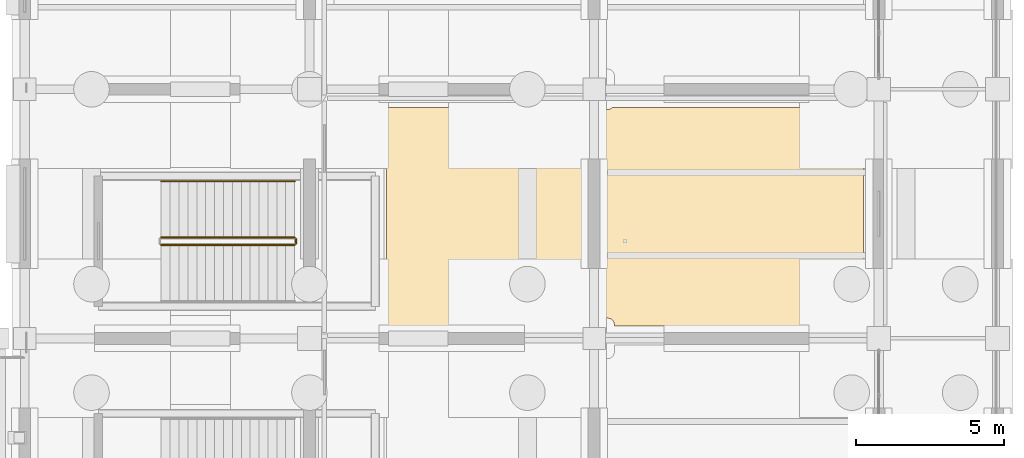
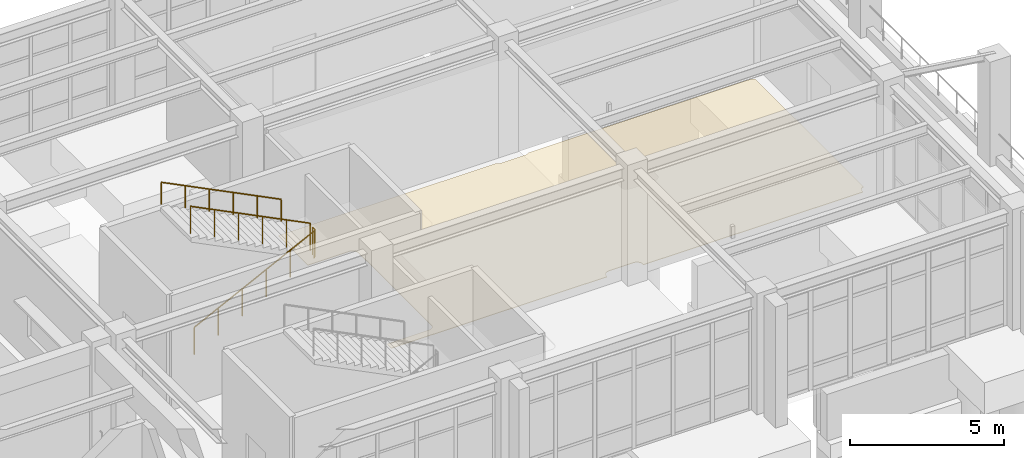
# One storey, part 106 of 111: 4 railings, 1 covering.
"""IFC4 building model written with IfcOpenShell, lengths in metres."""

import ifcopenshell
import ifcopenshell.guid

model = None  # the IFC model being written
_history = None  # IfcOwnerHistory: only IFC2X3 demands one
_inside = {}  # id of a spatial element -> (the spatial element, [elements in it])
_under = {}  # id of a project, library or spatial element -> (it, [spatial elements below it])
_declared = {}  # id of a project -> (the project, [libraries it declares])
_typed = {}  # id of a type object -> (the type object, [elements of that type])
_made_of = {}  # id of a material, layer set ... -> (it, [elements and type objects made of it])


def new_model(schema):
    """Start an empty IFC model of exactly this schema.

    Asked for "IFC4X3", IfcOpenShell would pick the latest addendum, in which some entities
    have other attributes; the version numbers below select the first issue.
    IFC2X3 requires an IfcOwnerHistory on every rooted entity: one is made here for all.
    """
    global model, _history
    if schema == "IFC4X3":
        model = ifcopenshell.file(schema_version=(4, 3, 0, 0))
    else:
        model = ifcopenshell.file(schema=schema)
    _inside.clear()
    _under.clear()
    _declared.clear()
    _typed.clear()
    _made_of.clear()
    _history = None
    if model.schema == "IFC2X3":
        org = make("IfcOrganization", Name="unknown")
        user = make(
            "IfcPersonAndOrganization",
            ThePerson=make("IfcPerson", FamilyName="unknown"),
            TheOrganization=org,
        )
        app = make(
            "IfcApplication",
            ApplicationDeveloper=org,
            Version="unknown",
            ApplicationFullName="unknown",
            ApplicationIdentifier="unknown",
        )
        _history = make(
            "IfcOwnerHistory",
            OwningUser=user,
            OwningApplication=app,
            ChangeAction="ADDED",
            CreationDate=0,
        )
    return model


def make(cls, **values):
    """One entity of the class cls with the attributes given. An attribute that is None is left unset."""
    return model.create_entity(
        cls, **{name: value for name, value in values.items() if value is not None}
    )


def rooted(cls, **values):
    """An entity with a GlobalId (a new one), such as an element, a storey or a relation."""
    return make(cls, GlobalId=ifcopenshell.guid.new(), OwnerHistory=_history, **values)


def si_unit(unit_type, name, prefix=None):
    """IfcSIUnit, for example si_unit("LENGTHUNIT", "METRE", prefix="MILLI")."""
    return make("IfcSIUnit", UnitType=unit_type, Prefix=prefix, Name=name)


def assignment(units):
    """IfcUnitAssignment: the units of a project."""
    return None if units is None else make("IfcUnitAssignment", Units=units)


def point(xyz):
    """IfcCartesianPoint."""
    return None if xyz is None else make("IfcCartesianPoint", Coordinates=xyz)


def direction(xyz):
    """IfcDirection."""
    return None if xyz is None else make("IfcDirection", DirectionRatios=xyz)


def frame(location, z_axis=None, x_axis=None):
    """IfcAxis2Placement3D, a coordinate frame: its origin and axes. An axis left out is left unset."""
    return make(
        "IfcAxis2Placement3D",
        Location=point(location),
        Axis=direction(z_axis),
        RefDirection=direction(x_axis),
    )


def frame_2d(location, x_axis=None):
    """IfcAxis2Placement2D, a coordinate frame in the plane: its origin and x axis."""
    return make(
        "IfcAxis2Placement2D", Location=point(location), RefDirection=direction(x_axis)
    )


def origin():
    """The frame at (0, 0, 0) with its axes left unset."""
    return frame((0.0, 0.0, 0.0))


def origin_2d():
    """The frame at (0, 0) in the plane with its x axis left unset."""
    return frame_2d((0.0, 0.0))


def place(relative_to, where):
    """IfcLocalPlacement: puts the frame where relative to a parent placement (None: the world)."""
    return make(
        "IfcLocalPlacement", PlacementRelTo=relative_to, RelativePlacement=where
    )


def context(
    kind, dimensions, precision=None, world=None, true_north=None, identifier=None
):
    """IfcGeometricRepresentationContext, for example the 3D "Model" context."""
    return make(
        "IfcGeometricRepresentationContext",
        ContextIdentifier=identifier,
        ContextType=kind,
        CoordinateSpaceDimension=dimensions,
        Precision=precision,
        WorldCoordinateSystem=world,
        TrueNorth=true_north,
    )


def subcontext(parent, identifier, kind, view, scale=None):
    """IfcGeometricRepresentationSubContext, for example "Body" below "Model"."""
    return make(
        "IfcGeometricRepresentationSubContext",
        ContextIdentifier=identifier,
        ContextType=kind,
        ParentContext=parent,
        TargetScale=scale,
        TargetView=view,
    )


def project(units=None, contexts=None):
    """IfcProject with its units and contexts."""
    return rooted(
        "IfcProject",
        Name="project",
        RepresentationContexts=contexts,
        UnitsInContext=assignment(units),
    )


def spatial(cls, under=None, at=None, **own):
    """A site, building, storey or space (cls), placed at a placement, below another one or the project."""
    s = rooted(cls, ObjectPlacement=at, **own)
    if under is not None:
        _under.setdefault(under.id(), (under, []))[1].append(s)
    return s


def polyline(points):
    """IfcPolyline through the points."""
    return make("IfcPolyline", Points=[point(p) for p in points])


def profile(cls, at=None, kind="AREA", **sizes):
    """A parametric profile (cls). Its sizes go by their IFC names, for example OverallWidth=200.0."""
    return make(cls, ProfileType=kind, Position=at, **sizes)


def circle(**sizes):
    """IfcCircleProfileDef."""
    return profile("IfcCircleProfileDef", **sizes)


def outline(outer, holes=None, kind="AREA"):
    """IfcArbitraryClosedProfileDef: a profile drawn as a closed curve; with holes, ...WithVoids."""
    if holes is None:
        return make("IfcArbitraryClosedProfileDef", ProfileType=kind, OuterCurve=outer)
    return make(
        "IfcArbitraryProfileDefWithVoids",
        ProfileType=kind,
        OuterCurve=outer,
        InnerCurves=holes,
    )


def extrude(swept, where, along, depth):
    """IfcExtrudedAreaSolid: the profile swept, set in the frame where, extruded along a direction by depth."""
    return make(
        "IfcExtrudedAreaSolid",
        SweptArea=swept,
        Position=where,
        ExtrudedDirection=direction(along),
        Depth=depth,
    )


def shape(context_of_items, identifier, shape_type, items):
    """IfcShapeRepresentation: the items that make up one representation, for example the "Body"."""
    return make(
        "IfcShapeRepresentation",
        ContextOfItems=context_of_items,
        RepresentationIdentifier=identifier,
        RepresentationType=shape_type,
        Items=items,
    )


def material(Name=None, Category=None):
    """IfcMaterial."""
    return make("IfcMaterial", Name=Name, Category=Category)


def layer(
    of_material, thickness, ventilated=None, Name=None, Category=None, Priority=None
):
    """IfcMaterialLayer: one layer of a wall or slab, of a material (None: an air gap)."""
    return make(
        "IfcMaterialLayer",
        Material=of_material,
        LayerThickness=thickness,
        IsVentilated=ventilated,
        Name=Name,
        Category=Category,
        Priority=Priority,
    )


def layer_set(layers, Name=None):
    """IfcMaterialLayerSet."""
    return make("IfcMaterialLayerSet", MaterialLayers=layers, LayerSetName=Name)


def made_of(thing, what):
    """Note that an element or type object is made of a material, layer set ...; save() writes the relation."""
    if what is not None:
        _made_of.setdefault(what.id(), (what, []))[1].append(thing)
    return thing


def type_object(cls, material=None, **own):
    """A type object (cls), such as IfcWallType, which elements share."""
    return made_of(rooted(cls, **own), material)


def element(
    cls,
    number,
    at=None,
    inside=None,
    cuts=None,
    type_object=None,
    material=None,
    context=None,
    identifier="Body",
    shape_type=None,
    held_by="IfcProductDefinitionShape",
    body=None,
    shapes=None,
    **own,
):
    """One element of the class cls, such as IfcWall. Its Tag is "e" and its number.

    at: its placement. inside: the storey or other place that contains it. cuts: it is an
    opening in that element (IfcRelVoidsElement). A single representation is given by context,
    identifier, shape_type and body (its items); several are given by shapes. held_by: the class
    of the entity that holds the representations. save() writes the other relations.
    """
    e = rooted(cls, Tag="e%d" % number, ObjectPlacement=at, **own)
    if body is not None:
        shapes = [shape(context, identifier, shape_type, body)]
    if shapes is not None:
        e.Representation = make(held_by, Representations=shapes)
    if inside is not None:
        _inside.setdefault(inside.id(), (inside, []))[1].append(e)
    if cuts is not None:
        rooted(
            "IfcRelVoidsElement", RelatingBuildingElement=cuts, RelatedOpeningElement=e
        )
    if type_object is not None:
        _typed.setdefault(type_object.id(), (type_object, []))[1].append(e)
    return made_of(e, material)


def aggregate(whole, parts):
    """IfcRelAggregates: a whole, such as a stair, and the parts it consists of."""
    return rooted("IfcRelAggregates", RelatingObject=whole, RelatedObjects=parts)


def save(model, path):
    """Write the relations noted so far, then the file.

    IfcRelAggregates (storeys below a building ...), IfcRelContainedInSpatialStructure (elements
    in a storey), IfcRelDefinesByType, IfcRelAssociatesMaterial and IfcRelDeclares: one each for
    every whole, place, type object, material and project.
    """
    for whole, parts in _under.values():
        aggregate(whole, parts)
    for where, things in _inside.values():
        rooted(
            "IfcRelContainedInSpatialStructure",
            RelatedElements=things,
            RelatingStructure=where,
        )
    for kind, things in _typed.values():
        rooted("IfcRelDefinesByType", RelatedObjects=things, RelatingType=kind)
    for what, things in _made_of.values():
        rooted("IfcRelAssociatesMaterial", RelatedObjects=things, RelatingMaterial=what)
    for by, libraries in _declared.values():
        rooted("IfcRelDeclares", RelatingContext=by, RelatedDefinitions=libraries)
    model.write(path)


model = new_model("IFC4")

# Units and contexts
model_context = context("Model", 3, precision=1e-05, world=origin(), true_north=direction((0.0, 1.0)))
body_context = subcontext(model_context, "Body", "Model", "MODEL_VIEW")
ifc_project = project(units=[si_unit("LENGTHUNIT", "METRE"), si_unit("AREAUNIT", "SQUARE_METRE"), si_unit("VOLUMEUNIT", "CUBIC_METRE"), si_unit("PLANEANGLEUNIT", "RADIAN"), si_unit("MASSUNIT", "GRAM", prefix="KILO")], contexts=[model_context])

# Site, building, storey
site_placement = place(None, origin())
site = spatial("IfcSite", under=ifc_project, at=site_placement, CompositionType="ELEMENT")
building_placement = place(site_placement, origin())
building = spatial("IfcBuilding", under=site, at=building_placement, Name="Canglan Escarpment Cableway Terminal", CompositionType="ELEMENT")
storey_placement = place(building_placement, frame((0.0, 0.0, 4.800048828125)))
storey = spatial("IfcBuildingStorey", under=building, at=storey_placement, Name="L01", CompositionType="ELEMENT", Elevation=4.800048828125)

# Covering
ifc_material_1 = material(Name="Polished mineral terrazzo flooring", Category="concrete")
ifc_layer = layer(ifc_material_1, 0.02001953125, Name="Polished mineral terrazzo flooring")
ifc_layer_set = layer_set([ifc_layer], Name="Polished mineral terrazzo flooring")
covering_type = type_object("IfcCoveringType", Name="COV-FLR-TERRAZZO-20", PredefinedType="FLOORING", material=ifc_layer_set)
covering_placement = place(storey_placement, origin())
element("IfcCovering", 1, at=covering_placement, inside=storey, type_object=covering_type, Name="VIP Reception Lounge stone floor finish", PredefinedType="FLOORING", context=body_context, shape_type="SweptSolid", body=[
    extrude(outline(polyline([(165.781494140625, 24.179931640625), (165.783447265625, 24.179931640625), (165.785400390625, 24.1796875), (165.787109375, 24.17919921875), (165.788818359375, 24.1787109375), (165.79052734375, 24.177978515625), (165.7919921875, 24.177001953125), (165.793701171875, 24.176025390625), (165.794921875, 24.1748046875), (165.800048828125, 24.17041015625), (165.80078125, 24.169677734375), (165.8173828125, 24.157470703125), (165.818115234375, 24.15673828125), (165.8359375, 24.146240234375), (165.836669921875, 24.145751953125), (165.85546875, 24.136962890625), (165.856201171875, 24.13671875), (165.875732421875, 24.129638671875), (165.876708984375, 24.12939453125), (165.896484375, 24.124267578125), (165.897705078125, 24.124267578125), (165.91796875, 24.12109375), (165.9189453125, 24.12109375), (165.939697265625, 24.1201171875), (165.940185546875, 24.1201171875), (166.85986328125, 24.1201171875), (166.860107421875, 24.1201171875), (166.881103515625, 24.12109375), (166.882080078125, 24.12109375), (166.90234375, 24.124267578125), (166.9033203125, 24.124267578125), (166.92333984375, 24.12939453125), (166.92431640625, 24.129638671875), (166.943603515625, 24.13671875), (166.944580078125, 24.136962890625), (166.96337890625, 24.145751953125), (166.964111328125, 24.146240234375), (166.981689453125, 24.15673828125), (166.982666015625, 24.157470703125), (166.999267578125, 24.169677734375), (167.0, 24.17041015625), (167.0048828125, 24.1748046875), (167.00634765625, 24.176025390625), (167.0078125, 24.177001953125), (167.009521484375, 24.177978515625), (167.01123046875, 24.1787109375), (167.012939453125, 24.17919921875), (167.0146484375, 24.1796875), (167.0166015625, 24.179931640625), (167.018310546875, 24.179931640625), (175.381591796875, 24.179931640625), (175.383544921875, 24.179931640625), (175.38525390625, 24.1796875), (175.38720703125, 24.17919921875), (175.388916015625, 24.1787109375), (175.390380859375, 24.177978515625), (175.39208984375, 24.177001953125), (175.3935546875, 24.176025390625), (175.39501953125, 24.1748046875), (175.400146484375, 24.17041015625), (175.40087890625, 24.169677734375), (175.41748046875, 24.157470703125), (175.418212890625, 24.15673828125), (175.435791015625, 24.146240234375), (175.436767578125, 24.145751953125), (175.455322265625, 24.136962890625), (175.456298828125, 24.13671875), (175.466796875, 24.1328125), (175.468505859375, 24.132080078125), (175.47021484375, 24.131103515625), (175.4716796875, 24.130126953125), (175.47314453125, 24.12890625), (175.474609375, 24.127685546875), (175.475830078125, 24.126220703125), (175.476806640625, 24.124755859375), (175.477783203125, 24.123046875), (175.478515625, 24.121337890625), (175.479248046875, 24.11962890625), (175.4794921875, 24.117919921875), (175.47998046875, 24.115966796875), (175.47998046875, 24.114013671875), (175.47998046875, 17.0859375), (175.47998046875, 17.083984375), (175.4794921875, 17.082275390625), (175.479248046875, 17.080322265625), (175.478515625, 17.07861328125), (175.477783203125, 17.076904296875), (175.476806640625, 17.0751953125), (175.475830078125, 17.07373046875), (175.474609375, 17.072265625), (175.47314453125, 17.071044921875), (175.4716796875, 17.06982421875), (175.47021484375, 17.06884765625), (175.468505859375, 17.06787109375), (175.466796875, 17.067138671875), (175.456298828125, 17.0634765625), (175.455322265625, 17.06298828125), (175.436767578125, 17.05419921875), (175.435791015625, 17.0537109375), (175.418212890625, 17.043212890625), (175.41748046875, 17.04248046875), (175.40087890625, 17.030517578125), (175.400146484375, 17.02978515625), (175.384765625, 17.015869140625), (175.384033203125, 17.01513671875), (175.370361328125, 17.0), (175.36962890625, 16.999267578125), (175.357421875, 16.982666015625), (175.356689453125, 16.981689453125), (175.34619140625, 16.964111328125), (175.345703125, 16.96337890625), (175.3369140625, 16.944580078125), (175.336669921875, 16.943603515625), (175.32958984375, 16.92431640625), (175.329345703125, 16.92333984375), (175.32421875, 16.9033203125), (175.32421875, 16.90234375), (175.321044921875, 16.882080078125), (175.321044921875, 16.881103515625), (175.320068359375, 16.860107421875), (175.320068359375, 16.85986328125), (175.320068359375, 16.840087890625), (175.31982421875, 16.837890625), (175.319580078125, 16.836181640625), (175.319091796875, 16.834228515625), (175.318603515625, 16.832275390625), (175.317626953125, 16.83056640625), (175.316650390625, 16.828857421875), (175.3154296875, 16.827392578125), (175.314208984375, 16.825927734375), (175.312744140625, 16.824462890625), (175.31103515625, 16.823486328125), (175.309326171875, 16.822509765625), (175.3076171875, 16.821533203125), (175.305908203125, 16.82080078125), (175.303955078125, 16.8203125), (175.302001953125, 16.820068359375), (175.300048828125, 16.820068359375), (167.10009765625, 16.820068359375), (167.097900390625, 16.820068359375), (167.09619140625, 16.8203125), (167.09423828125, 16.82080078125), (167.09228515625, 16.821533203125), (167.090576171875, 16.822509765625), (167.0888671875, 16.823486328125), (167.08740234375, 16.824462890625), (167.0859375, 16.825927734375), (167.08447265625, 16.827392578125), (167.08349609375, 16.828857421875), (167.08251953125, 16.83056640625), (167.08154296875, 16.832275390625), (167.080810546875, 16.834228515625), (167.080322265625, 16.836181640625), (167.080078125, 16.837890625), (167.080078125, 16.840087890625), (167.080078125, 16.85986328125), (167.080078125, 16.860107421875), (167.0791015625, 16.881103515625), (167.078857421875, 16.882080078125), (167.07568359375, 16.90234375), (167.07568359375, 16.9033203125), (167.070556640625, 16.92333984375), (167.0703125, 16.92431640625), (167.0634765625, 16.943603515625), (167.06298828125, 16.944580078125), (167.05419921875, 16.96337890625), (167.0537109375, 16.964111328125), (167.043212890625, 16.981689453125), (167.04248046875, 16.982666015625), (167.030517578125, 16.999267578125), (167.02978515625, 17.0), (167.015869140625, 17.01513671875), (167.01513671875, 17.015869140625), (167.0, 17.02978515625), (166.999267578125, 17.030517578125), (166.982666015625, 17.04248046875), (166.981689453125, 17.043212890625), (166.964111328125, 17.0537109375), (166.96337890625, 17.05419921875), (166.944580078125, 17.06298828125), (166.943603515625, 17.0634765625), (166.92431640625, 17.0703125), (166.92333984375, 17.070556640625), (166.9033203125, 17.07568359375), (166.90234375, 17.07568359375), (166.882080078125, 17.078857421875), (166.881103515625, 17.0791015625), (166.860107421875, 17.080078125), (166.85986328125, 17.080078125), (165.940185546875, 17.080078125), (165.939697265625, 17.080078125), (165.9189453125, 17.0791015625), (165.91796875, 17.078857421875), (165.897705078125, 17.07568359375), (165.896484375, 17.07568359375), (165.876708984375, 17.070556640625), (165.875732421875, 17.0703125), (165.856201171875, 17.0634765625), (165.85546875, 17.06298828125), (165.836669921875, 17.05419921875), (165.8359375, 17.0537109375), (165.818115234375, 17.043212890625), (165.8173828125, 17.04248046875), (165.80078125, 17.030517578125), (165.800048828125, 17.02978515625), (165.784912109375, 17.015869140625), (165.7841796875, 17.01513671875), (165.770263671875, 17.0), (165.76953125, 16.999267578125), (165.75732421875, 16.982666015625), (165.7568359375, 16.981689453125), (165.74609375, 16.964111328125), (165.745849609375, 16.96337890625), (165.737060546875, 16.944580078125), (165.736572265625, 16.943603515625), (165.7294921875, 16.92431640625), (165.7294921875, 16.92333984375), (165.724365234375, 16.9033203125), (165.72412109375, 16.90234375), (165.72119140625, 16.882080078125), (165.720947265625, 16.881103515625), (165.719970703125, 16.860107421875), (165.719970703125, 16.85986328125), (165.719970703125, 16.840087890625), (165.719970703125, 16.837890625), (165.719482421875, 16.836181640625), (165.718994140625, 16.834228515625), (165.718505859375, 16.832275390625), (165.717529296875, 16.83056640625), (165.716552734375, 16.828857421875), (165.715576171875, 16.827392578125), (165.714111328125, 16.825927734375), (165.712646484375, 16.824462890625), (165.711181640625, 16.823486328125), (165.70947265625, 16.822509765625), (165.707763671875, 16.821533203125), (165.705810546875, 16.82080078125), (165.703857421875, 16.8203125), (165.701904296875, 16.820068359375), (165.699951171875, 16.820068359375), (157.639892578125, 16.820068359375), (157.637939453125, 16.820068359375), (157.635986328125, 16.8203125), (157.63427734375, 16.82080078125), (157.63232421875, 16.821533203125), (157.630615234375, 16.822509765625), (157.62890625, 16.823486328125), (157.627197265625, 16.824462890625), (157.6259765625, 16.825927734375), (157.62451171875, 16.827392578125), (157.623291015625, 16.828857421875), (157.622314453125, 16.83056640625), (157.62158203125, 16.832275390625), (157.620849609375, 16.834228515625), (157.620361328125, 16.836181640625), (157.6201171875, 16.837890625), (157.6201171875, 16.840087890625), (157.6201171875, 17.080078125), (157.6201171875, 17.08203125), (157.620361328125, 17.083984375), (157.620849609375, 17.085693359375), (157.62158203125, 17.087646484375), (157.622314453125, 17.08935546875), (157.623291015625, 17.091064453125), (157.62451171875, 17.0927734375), (157.6259765625, 17.093994140625), (157.627197265625, 17.095458984375), (157.62890625, 17.0966796875), (157.630615234375, 17.09765625), (157.63232421875, 17.098388671875), (157.63427734375, 17.09912109375), (157.635986328125, 17.099609375), (157.637939453125, 17.099853515625), (157.639892578125, 17.10009765625), (159.1796875, 17.10009765625), (159.18017578125, 17.10009765625), (159.201171875, 17.10107421875), (159.201904296875, 17.10107421875), (159.222412109375, 17.104248046875), (159.223388671875, 17.104248046875), (159.243408203125, 17.109375), (159.244384765625, 17.109619140625), (159.263671875, 17.11669921875), (159.2646484375, 17.116943359375), (159.283203125, 17.125732421875), (159.2841796875, 17.126220703125), (159.3017578125, 17.13671875), (159.302490234375, 17.137451171875), (159.319091796875, 17.149658203125), (159.31982421875, 17.150390625), (159.335205078125, 17.1640625), (159.3359375, 17.164794921875), (159.349609375, 17.18017578125), (159.350341796875, 17.180908203125), (159.362548828125, 17.197509765625), (159.36328125, 17.1982421875), (159.373779296875, 17.2158203125), (159.374267578125, 17.216796875), (159.383056640625, 17.2353515625), (159.38330078125, 17.236328125), (159.390380859375, 17.255615234375), (159.390625, 17.256591796875), (159.395751953125, 17.276611328125), (159.395751953125, 17.277587890625), (159.39892578125, 17.298095703125), (159.39892578125, 17.298828125), (159.39990234375, 17.31982421875), (159.39990234375, 17.3203125), (159.39990234375, 22.02978515625), (159.39990234375, 22.0302734375), (159.39892578125, 22.051025390625), (159.39892578125, 22.052001953125), (159.395751953125, 22.072509765625), (159.395751953125, 22.073486328125), (159.390625, 22.093505859375), (159.390380859375, 22.09423828125), (159.38330078125, 22.11376953125), (159.383056640625, 22.114501953125), (159.374267578125, 22.13330078125), (159.373779296875, 22.134033203125), (159.36328125, 22.15185546875), (159.362548828125, 22.152587890625), (159.350341796875, 22.169189453125), (159.349609375, 22.169921875), (159.3359375, 22.185302734375), (159.335205078125, 22.185791015625), (159.31982421875, 22.19970703125), (159.319091796875, 22.200439453125), (159.302490234375, 22.212646484375), (159.3017578125, 22.213134765625), (159.2841796875, 22.223876953125), (159.283203125, 22.22412109375), (159.2646484375, 22.23291015625), (159.263671875, 22.2333984375), (159.244384765625, 22.240478515625), (159.243408203125, 22.240478515625), (159.223388671875, 22.24560546875), (159.222412109375, 22.245849609375), (159.201904296875, 22.248779296875), (159.201171875, 22.2490234375), (159.18017578125, 22.25), (159.1796875, 22.25), (157.639892578125, 22.25), (157.637939453125, 22.25), (157.635986328125, 22.25048828125), (157.63427734375, 22.2509765625), (157.63232421875, 22.25146484375), (157.630615234375, 22.25244140625), (157.62890625, 22.25341796875), (157.627197265625, 22.25439453125), (157.6259765625, 22.255859375), (157.62451171875, 22.25732421875), (157.623291015625, 22.2587890625), (157.622314453125, 22.260498046875), (157.62158203125, 22.26220703125), (157.620849609375, 22.26416015625), (157.620361328125, 22.26611328125), (157.6201171875, 22.26806640625), (157.6201171875, 22.27001953125), (157.6201171875, 24.159912109375), (157.6201171875, 24.162109375), (157.620361328125, 24.163818359375), (157.620849609375, 24.165771484375), (157.62158203125, 24.167724609375), (157.622314453125, 24.16943359375), (157.623291015625, 24.171142578125), (157.62451171875, 24.172607421875), (157.6259765625, 24.174072265625), (157.627197265625, 24.175537109375), (157.62890625, 24.176513671875), (157.630615234375, 24.177490234375), (157.63232421875, 24.178466796875), (157.63427734375, 24.17919921875), (157.635986328125, 24.1796875), (157.637939453125, 24.179931640625), (157.639892578125, 24.179931640625), (165.781494140625, 24.179931640625)])), origin(), (0.0, 0.0, 1.0), 0.02001953125),
])

# Railings
ifc_material_2 = material(Name="Powder-coated steel stair balustrade", Category="steel")
railing_type_1 = type_object("IfcRailingType", Name="RL-STR-GUARD-1100", PredefinedType="BALUSTRADE", material=ifc_material_2)
railing_1_placement = place(storey_placement, frame((151.800048828125, 19.550048828125, 0.14990234375)))
element("IfcRailing", 2, at=railing_1_placement, inside=storey, type_object=railing_type_1, Name="L01 ST-09 stair guard 1", PredefinedType="BALUSTRADE", context=body_context, shape_type="SweptSolid", body=[
    extrude(circle(Radius=0.02392578125, at=origin_2d()), frame((0.0, 0.0, 1.076171875), z_axis=(0.894427191, 0.0, 0.4472135955), x_axis=(0.0, 1.0, 0.0)), (0.0, 0.0, 1.0), 5.03125),
    extrude(circle(Radius=0.02099609375, at=origin_2d()), origin(), (0.0, 0.0, 1.0), 1.052001953125),
    extrude(circle(Radius=0.02099609375, at=origin_2d()), frame((0.89990234375, 0.0, 0.449951171875)), (0.0, 0.0, 1.0), 1.052001953125),
    extrude(circle(Radius=0.02099609375, at=origin_2d()), frame((1.800048828125, 0.0, 0.89990234375)), (0.0, 0.0, 1.0), 1.052001953125),
    extrude(circle(Radius=0.02099609375, at=origin_2d()), frame((2.699951171875, 0.0, 1.35009765625)), (0.0, 0.0, 1.0), 1.052001953125),
    extrude(circle(Radius=0.02099609375, at=origin_2d()), frame((3.60009765625, 0.0, 1.800048828125)), (0.0, 0.0, 1.0), 1.052001953125),
    extrude(circle(Radius=0.02099609375, at=origin_2d()), frame((4.5, 0.0, 2.25)), (0.0, 0.0, 1.0), 1.052001953125),
])
railing_2_placement = place(storey_placement, frame((156.35009765625, 19.60009765625, 2.39990234375)))
element("IfcRailing", 3, at=railing_2_placement, inside=storey, type_object=railing_type_1, Name="L01 ST-09 stair guard 2", PredefinedType="BALUSTRADE", context=body_context, shape_type="SweptSolid", body=[
    extrude(circle(Radius=0.02392578125, at=origin_2d()), frame((0.0, 0.0, 1.076171875), z_axis=(0.0, 1.0, 0.0), x_axis=(-1.0, 0.0, 0.0)), (0.0, 0.0, 1.0), 0.14990234375),
    extrude(circle(Radius=0.02099609375, at=origin_2d()), origin(), (0.0, 0.0, 1.0), 1.052001953125),
    extrude(circle(Radius=0.02099609375, at=origin_2d()), frame((0.0, 0.14990234375, 0.0)), (0.0, 0.0, 1.0), 1.052001953125),
])
railing_3_placement = place(storey_placement, frame((156.300048828125, 19.800048828125, 2.550048828125)))
element("IfcRailing", 4, at=railing_3_placement, inside=storey, type_object=railing_type_1, Name="L01 ST-09 stair guard 3", PredefinedType="BALUSTRADE", context=body_context, shape_type="SweptSolid", body=[
    extrude(circle(Radius=0.02392578125, at=origin_2d()), frame((0.0, 0.0, 1.076171875), z_axis=(-0.894427191, 0.0, 0.4472135955), x_axis=(0.0, -1.0, 0.0)), (0.0, 0.0, 1.0), 5.03125),
    extrude(circle(Radius=0.02099609375, at=origin_2d()), origin(), (0.0, 0.0, 1.0), 1.052001953125),
    extrude(circle(Radius=0.02099609375, at=origin_2d()), frame((-0.89990234375, 0.0, 0.449951171875)), (0.0, 0.0, 1.0), 1.052001953125),
    extrude(circle(Radius=0.02099609375, at=origin_2d()), frame((-1.800048828125, 0.0, 0.89990234375)), (0.0, 0.0, 1.0), 1.052001953125),
    extrude(circle(Radius=0.02099609375, at=origin_2d()), frame((-2.699951171875, 0.0, 1.35009765625)), (0.0, 0.0, 1.0), 1.052001953125),
    extrude(circle(Radius=0.02099609375, at=origin_2d()), frame((-3.60009765625, 0.0, 1.800048828125)), (0.0, 0.0, 1.0), 1.052001953125),
    extrude(circle(Radius=0.02099609375, at=origin_2d()), frame((-4.5, 0.0, 2.25)), (0.0, 0.0, 1.0), 1.052001953125),
])
ifc_material_3 = material(Name="Brushed stainless steel 304 handrail", Category="steel")
railing_type_2 = type_object("IfcRailingType", Name="RL-STR-HR-900", PredefinedType="HANDRAIL", material=ifc_material_3)
railing_4_placement = place(storey_placement, frame((156.300048828125, 21.699951171875, 2.550048828125)))
element("IfcRailing", 5, at=railing_4_placement, inside=storey, type_object=railing_type_2, Name="L01 ST-09 stair handrail 2", PredefinedType="HANDRAIL", context=body_context, shape_type="SweptSolid", body=[
    extrude(circle(Radius=0.02392578125, at=origin_2d()), frame((0.0, 0.0, 0.8759765625), z_axis=(-0.894427191, 0.0, 0.4472135955), x_axis=(0.0, -1.0, 0.0)), (0.0, 0.0, 1.0), 5.03125),
    extrude(circle(Radius=0.02099609375, at=origin_2d()), origin(), (0.0, 0.0, 1.0), 0.851806640625),
    extrude(circle(Radius=0.02099609375, at=origin_2d()), frame((-0.89990234375, 0.0, 0.449951171875)), (0.0, 0.0, 1.0), 0.851806640625),
    extrude(circle(Radius=0.02099609375, at=origin_2d()), frame((-1.800048828125, 0.0, 0.89990234375)), (0.0, 0.0, 1.0), 0.851806640625),
    extrude(circle(Radius=0.02099609375, at=origin_2d()), frame((-2.699951171875, 0.0, 1.35009765625)), (0.0, 0.0, 1.0), 0.851806640625),
    extrude(circle(Radius=0.02099609375, at=origin_2d()), frame((-3.60009765625, 0.0, 1.800048828125)), (0.0, 0.0, 1.0), 0.851806640625),
    extrude(circle(Radius=0.02099609375, at=origin_2d()), frame((-4.5, 0.0, 2.25)), (0.0, 0.0, 1.0), 0.851806640625),
])

save(model, "model.ifc")
